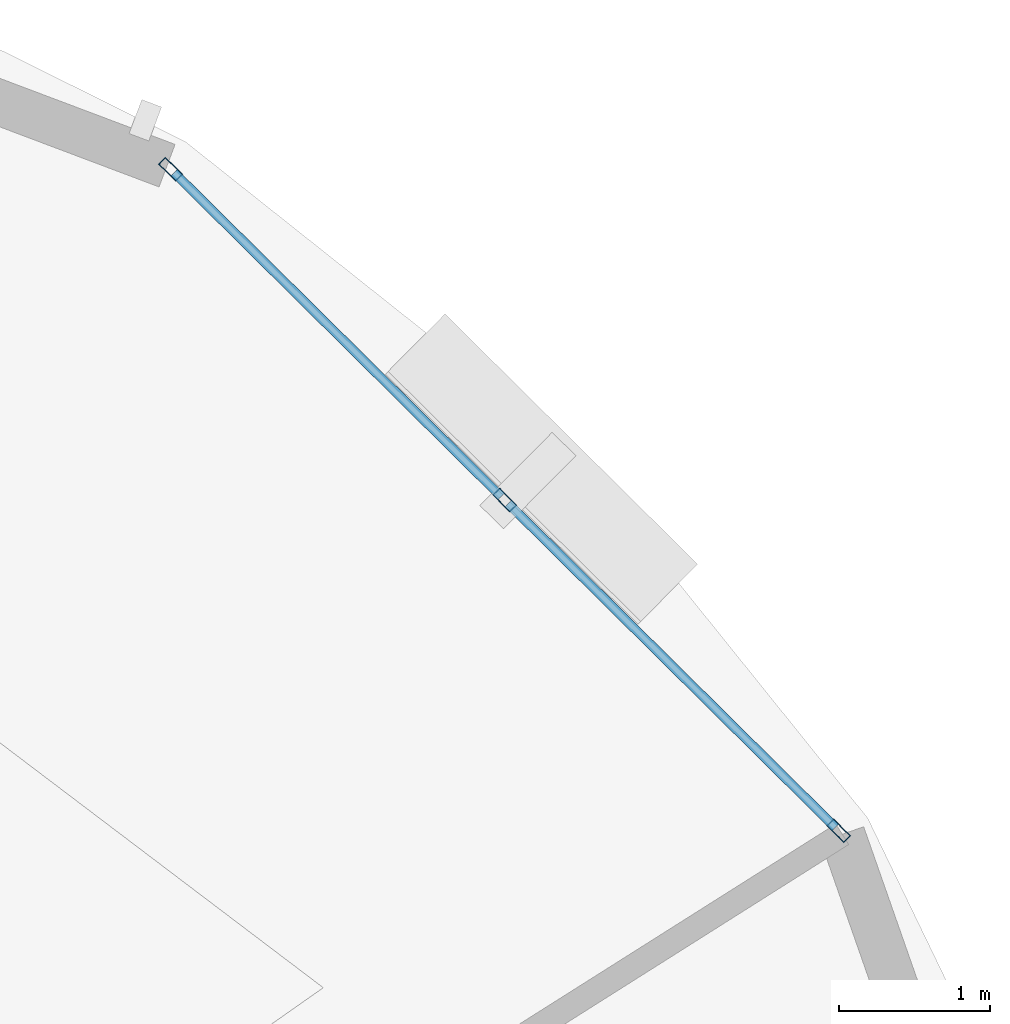
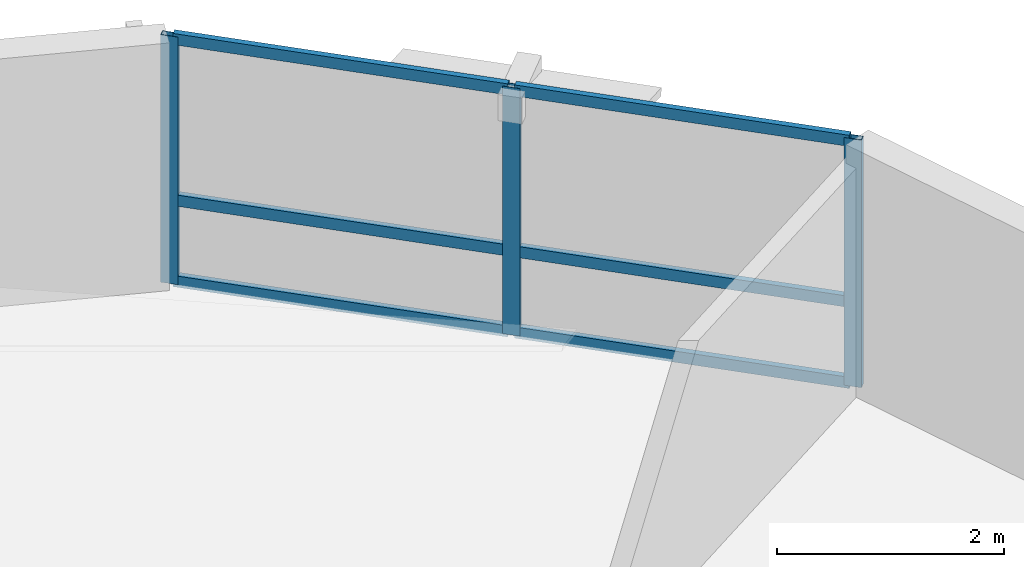
# One storey, part 6 of 12: 9 members, 1 element without a shape of its own.
"""IFC4 building model written with IfcOpenShell, lengths in metres."""

from ifc_helpers import new_model, si_unit, direction, frame, origin, origin_2d, place, context, subcontext, project, spatial, hollow_rectangle, extrude, material, layer, layer_set, material_profile, profile_set, type_object, element, aggregate, save


model = new_model("IFC4")

# Units and contexts
model_context = context("Model", 3, precision=1e-05, world=origin(), true_north=direction((0.0, 1.0)))
body_context = subcontext(model_context, "Body", "Model", "MODEL_VIEW")
ifc_project = project(units=[si_unit("LENGTHUNIT", "METRE"), si_unit("AREAUNIT", "SQUARE_METRE"), si_unit("VOLUMEUNIT", "CUBIC_METRE"), si_unit("PLANEANGLEUNIT", "RADIAN"), si_unit("MASSUNIT", "GRAM", prefix="KILO"), si_unit("THERMODYNAMICTEMPERATUREUNIT", "KELVIN"), si_unit("POWERUNIT", "WATT")], contexts=[model_context])

# Site, building, storey
site_placement = place(None, origin())
site = spatial("IfcSite", under=ifc_project, at=site_placement, CompositionType="ELEMENT")
building_placement = place(site_placement, origin())
building = spatial("IfcBuilding", under=site, at=building_placement, Name="Ocrelia Relay Tower", CompositionType="ELEMENT")
storey_placement = place(building_placement, frame((0.0, 0.0, 170.0)))
storey = spatial("IfcBuildingStorey", under=building, at=storey_placement, Name="L40", CompositionType="ELEMENT", Elevation=170.0)

# Curtain wall, members
ifc_material_1 = material(Name="Aluminium and solar-control low-E glass", Category="aluminium")
ifc_layer = layer(ifc_material_1, 0.179931640625, Name="Aluminium and solar-control low-E glass")
ifc_layer_set = layer_set([ifc_layer], Name="Aluminium and solar-control low-E glass")
curtain_wall_type = type_object("IfcCurtainWallType", Name="CW-SYS-Z3-CLOU", PredefinedType="NOTDEFINED", material=ifc_layer_set)
curtain_wall_placement = place(storey_placement, origin())
curtain_wall = element("IfcCurtainWall", 1, at=curtain_wall_placement, inside=storey, type_object=curtain_wall_type, Name="L40 Elliptical Tower Curtain Wall Bay 01", PredefinedType="NOTDEFINED")
ifc_material_2 = material(Name="Anodised bronze aluminium", Category="aluminium")
ifc_material_profile_1 = material_profile(ifc_material_2, hollow_rectangle(XDim=0.06494140625, YDim=0.159912109375, WallThickness=0.0048828125, at=origin_2d()), Name="CW-MUL-160x65")
ifc_profile_set_1 = profile_set([ifc_material_profile_1], Name="Anodised bronze aluminium")
member_type_1 = type_object("IfcMemberType", Name="CW-SYS-Z3-CLOU-MUL", PredefinedType="MULLION", material=ifc_profile_set_1)
member_1_placement = place(storey_placement, frame((53.756103515625, 38.526611328125, 0.0), z_axis=(0.0, 0.0, 1.0), x_axis=(-0.70364442691, -0.710552264425, 0.0)))
member_1 = element("IfcMember", 2, at=member_1_placement, type_object=member_type_1, Name="CW-Z3 mullion 1", PredefinedType="MULLION", context=body_context, shape_type="SweptSolid", body=[
    extrude(hollow_rectangle(XDim=0.06494140625, YDim=0.159912109375, WallThickness=0.0048828125, at=origin_2d()), origin(), (0.0, 0.0, 1.0), 2.659912109375),
])
member_2_placement = place(storey_placement, frame((51.547119140625, 40.714111328125, 0.0), z_axis=(0.0, 0.0, 1.0), x_axis=(-0.70364442691, -0.710552264425, 0.0)))
member_2 = element("IfcMember", 3, at=member_2_placement, type_object=member_type_1, Name="CW-Z3 mullion 2", PredefinedType="MULLION", context=body_context, shape_type="SweptSolid", body=[
    extrude(hollow_rectangle(XDim=0.06494140625, YDim=0.159912109375, WallThickness=0.0048828125, at=origin_2d()), origin(), (0.0, 0.0, 1.0), 2.659912109375),
])
member_3_placement = place(storey_placement, frame((49.337890625, 42.901611328125, 0.0), z_axis=(0.0, 0.0, 1.0), x_axis=(-0.70364442691, -0.710552264425, 0.0)))
member_3 = element("IfcMember", 4, at=member_3_placement, type_object=member_type_1, Name="CW-Z3 mullion 3", PredefinedType="MULLION", context=body_context, shape_type="SweptSolid", body=[
    extrude(hollow_rectangle(XDim=0.06494140625, YDim=0.159912109375, WallThickness=0.0048828125, at=origin_2d()), origin(), (0.0, 0.0, 1.0), 2.659912109375),
])
ifc_material_profile_2 = material_profile(ifc_material_2, hollow_rectangle(XDim=0.06005859375, YDim=0.1201171875, WallThickness=0.0048828125, at=origin_2d()), Name="CW-TRN-120x60")
ifc_profile_set_2 = profile_set([ifc_material_profile_2], Name="Anodised bronze aluminium")
member_type_2 = type_object("IfcMemberType", Name="CW-SYS-Z3-CLOU-TRN", PredefinedType="USERDEFINED", material=ifc_profile_set_2)
member_4_placement = place(storey_placement, frame((53.73291015625, 38.549560546875, 0.030029296875), z_axis=(-0.710547239408, 0.703649501222, 0.0), x_axis=(-0.703649501222, -0.710547239408, 0.0)))
member_4 = element("IfcMember", 5, at=member_4_placement, type_object=member_type_2, Name="CW-Z3 transom 1.1", ObjectType="TRANSOM", PredefinedType="USERDEFINED", context=body_context, shape_type="SweptSolid", body=[
    extrude(hollow_rectangle(XDim=0.06005859375, YDim=0.1201171875, WallThickness=0.0048828125, at=origin_2d()), origin(), (0.0, 0.0, 1.0), 3.0439453125),
])
member_5_placement = place(storey_placement, frame((53.73291015625, 38.549560546875, 0.89990234375), z_axis=(-0.710547239408, 0.703649501222, 0.0), x_axis=(-0.703649501222, -0.710547239408, 0.0)))
member_5 = element("IfcMember", 6, at=member_5_placement, type_object=member_type_2, Name="CW-Z3 transom 1.2", ObjectType="TRANSOM", PredefinedType="USERDEFINED", context=body_context, shape_type="SweptSolid", body=[
    extrude(hollow_rectangle(XDim=0.06005859375, YDim=0.1201171875, WallThickness=0.0048828125, at=origin_2d()), origin(), (0.0, 0.0, 1.0), 3.0439453125),
])
member_6_placement = place(storey_placement, frame((53.73291015625, 38.549560546875, 2.6298828125), z_axis=(-0.710547239408, 0.703649501222, 0.0), x_axis=(-0.703649501222, -0.710547239408, 0.0)))
member_6 = element("IfcMember", 7, at=member_6_placement, type_object=member_type_2, Name="CW-Z3 transom 1.3", ObjectType="TRANSOM", PredefinedType="USERDEFINED", context=body_context, shape_type="SweptSolid", body=[
    extrude(hollow_rectangle(XDim=0.06005859375, YDim=0.1201171875, WallThickness=0.0048828125, at=origin_2d()), origin(), (0.0, 0.0, 1.0), 3.0439453125),
])
member_7_placement = place(storey_placement, frame((51.52392578125, 40.737060546875, 0.030029296875), z_axis=(-0.710547239408, 0.703649501222, 0.0), x_axis=(-0.703649501222, -0.710547239408, 0.0)))
member_7 = element("IfcMember", 8, at=member_7_placement, type_object=member_type_2, Name="CW-Z3 transom 2.1", ObjectType="TRANSOM", PredefinedType="USERDEFINED", context=body_context, shape_type="SweptSolid", body=[
    extrude(hollow_rectangle(XDim=0.06005859375, YDim=0.1201171875, WallThickness=0.0048828125, at=origin_2d()), origin(), (0.0, 0.0, 1.0), 3.0439453125),
])
member_8_placement = place(storey_placement, frame((51.52392578125, 40.737060546875, 0.89990234375), z_axis=(-0.710547239408, 0.703649501222, 0.0), x_axis=(-0.703649501222, -0.710547239408, 0.0)))
member_8 = element("IfcMember", 9, at=member_8_placement, type_object=member_type_2, Name="CW-Z3 transom 2.2", ObjectType="TRANSOM", PredefinedType="USERDEFINED", context=body_context, shape_type="SweptSolid", body=[
    extrude(hollow_rectangle(XDim=0.06005859375, YDim=0.1201171875, WallThickness=0.0048828125, at=origin_2d()), origin(), (0.0, 0.0, 1.0), 3.0439453125),
])
member_9_placement = place(storey_placement, frame((51.52392578125, 40.737060546875, 2.6298828125), z_axis=(-0.710547239408, 0.703649501222, 0.0), x_axis=(-0.703649501222, -0.710547239408, 0.0)))
member_9 = element("IfcMember", 10, at=member_9_placement, type_object=member_type_2, Name="CW-Z3 transom 2.3", ObjectType="TRANSOM", PredefinedType="USERDEFINED", context=body_context, shape_type="SweptSolid", body=[
    extrude(hollow_rectangle(XDim=0.06005859375, YDim=0.1201171875, WallThickness=0.0048828125, at=origin_2d()), origin(), (0.0, 0.0, 1.0), 3.0439453125),
])
aggregate(curtain_wall, [member_1, member_2, member_3, member_4, member_5, member_6, member_7, member_8, member_9])

save(model, "model.ifc")
